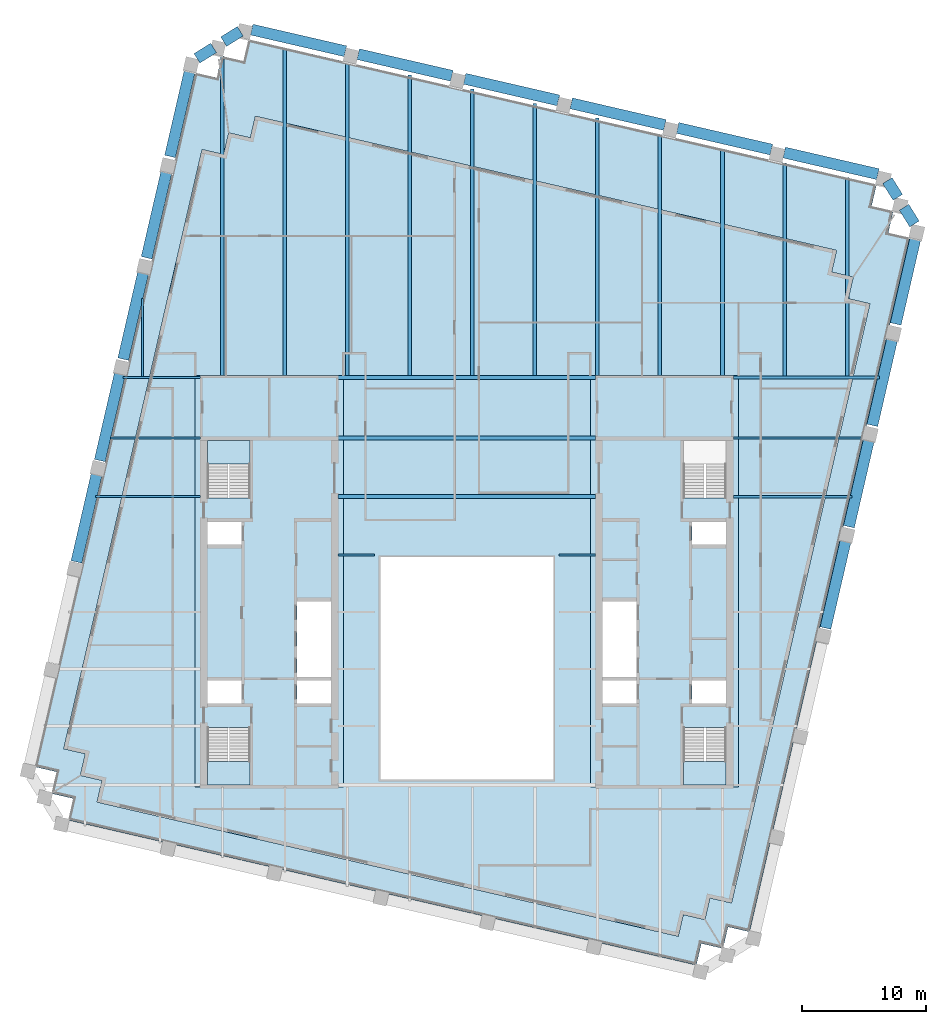
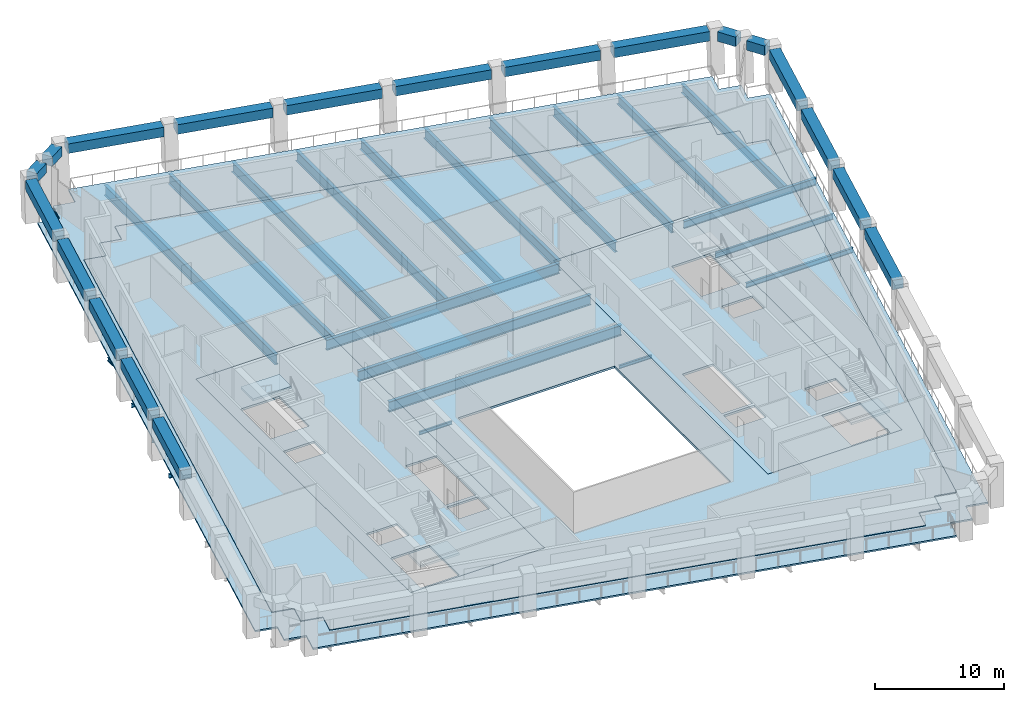
# One storey, part 2 of 10: 42 beams, 7 slabs, 3 elements without a shape of their own.
"""IFC4 building model written with IfcOpenShell, lengths in metres."""

from ifc_helpers import new_model, si_unit, direction, frame, origin, origin_2d, place, context, subcontext, project, spatial, polyline, rectangle, i_section, outline, extrude, material, layer, layer_set, material_profile, profile_set, type_object, element, aggregate, save


model = new_model("IFC4")

# Units and contexts
model_context = context("Model", 3, precision=1e-05, world=origin(), true_north=direction((0.0, 1.0)))
body_context = subcontext(model_context, "Body", "Model", "MODEL_VIEW")
ifc_project = project(units=[si_unit("LENGTHUNIT", "METRE"), si_unit("AREAUNIT", "SQUARE_METRE"), si_unit("VOLUMEUNIT", "CUBIC_METRE"), si_unit("PLANEANGLEUNIT", "RADIAN"), si_unit("MASSUNIT", "GRAM", prefix="KILO")], contexts=[model_context])

# Site, building, storey
site_placement = place(None, origin())
site = spatial("IfcSite", under=ifc_project, at=site_placement, CompositionType="ELEMENT")
building_placement = place(site_placement, origin())
building = spatial("IfcBuilding", under=site, at=building_placement, Name="Ogive Exchange Tower", CompositionType="ELEMENT")
storey_placement = place(building_placement, frame((0.0, 0.0, 280.800048828125)))
storey = spatial("IfcBuildingStorey", under=building, at=storey_placement, Name="L61", CompositionType="ELEMENT", Elevation=280.800048828125)

# Beams
ifc_material_1 = material(Name="Steel ASTM A992 Gr50", Category="steel")
ifc_material_profile_1 = material_profile(ifc_material_1, i_section(OverallWidth=0.300048828125, OverallDepth=0.969970703125, WebThickness=0.01611328125, FlangeThickness=0.02099609375, at=origin_2d()), Name="W1000x222")
ifc_profile_set_1 = profile_set([ifc_material_profile_1], Name="Steel ASTM A992 Gr50")
beam_type_1 = type_object("IfcBeamType", Name="Floor beam W1000x222", PredefinedType="JOIST", material=ifc_profile_set_1)
beam_1_placement = place(storey_placement, frame((15.630615234375, 30.699951171875, -0.68505859375), z_axis=(0.0, 1.0, 0.0), x_axis=(-1.0, 0.0, 0.0)))
element("IfcBeam", 1, at=beam_1_placement, inside=storey, type_object=beam_type_1, Name="Floor beam", PredefinedType="JOIST", context=body_context, shape_type="SweptSolid", body=[
    extrude(i_section(OverallWidth=0.300048828125, OverallDepth=0.969970703125, WebThickness=0.01611328125, FlangeThickness=0.02099609375, at=origin_2d()), origin(), (0.0, 0.0, 1.0), 19.529052734375),
])
ifc_material_profile_2 = material_profile(ifc_material_1, i_section(OverallWidth=0.300048828125, OverallDepth=0.97998046875, WebThickness=0.0166015625, FlangeThickness=0.026123046875, at=origin_2d()), Name="W1000x249")
ifc_profile_set_2 = profile_set([ifc_material_profile_2], Name="Steel ASTM A992 Gr50")
beam_type_2 = type_object("IfcBeamType", Name="Floor beam W1000x249", PredefinedType="JOIST", material=ifc_profile_set_2)
for number, where, z_axis, x_axis, name in (
    (2, (-10.419921875, 20.89990234375, -0.68994140625), (1.0, 0.0, 0.0), (0.0, 1.0, 0.0), "Floor beam"),
    (3, (-10.419921875, 25.64501953125, -0.68994140625), (1.0, 0.0, 0.0), (0.0, 1.0, 0.0), "Floor beam"),
):
    element("IfcBeam", number, at=place(storey_placement, frame(where, z_axis=z_axis, x_axis=x_axis)), inside=storey, type_object=beam_type_2, Name=name, PredefinedType="JOIST", context=body_context, shape_type="SweptSolid", body=[
        extrude(i_section(OverallWidth=0.300048828125, OverallDepth=0.97998046875, WebThickness=0.0166015625, FlangeThickness=0.026123046875, at=origin_2d()), origin(), (0.0, 0.0, 1.0), 20.83984375),
    ])
beam_2_placement = place(storey_placement, frame((-19.7958984375, 30.699951171875, -0.68994140625), z_axis=(0.0, 1.0, 0.0), x_axis=(-1.0, 0.0, 0.0)))
element("IfcBeam", 4, at=beam_2_placement, inside=storey, type_object=beam_type_2, Name="Floor beam", PredefinedType="JOIST", context=body_context, shape_type="SweptSolid", body=[
    extrude(i_section(OverallWidth=0.300048828125, OverallDepth=0.97998046875, WebThickness=0.0166015625, FlangeThickness=0.026123046875, at=origin_2d()), origin(), (0.0, 0.0, 1.0), 25.8603515625),
])
beam_3_placement = place(storey_placement, frame((-14.735107421875, 30.699951171875, -0.68994140625), z_axis=(0.0, 1.0, 0.0), x_axis=(-1.0, 0.0, 0.0)))
element("IfcBeam", 5, at=beam_3_placement, inside=storey, type_object=beam_type_2, Name="Floor beam", PredefinedType="JOIST", context=body_context, shape_type="SweptSolid", body=[
    extrude(i_section(OverallWidth=0.300048828125, OverallDepth=0.97998046875, WebThickness=0.0166015625, FlangeThickness=0.026123046875, at=origin_2d()), origin(), (0.0, 0.0, 1.0), 26.53955078125),
])
beam_4_placement = place(storey_placement, frame((-9.674072265625, 30.695068359375, -0.68994140625), z_axis=(0.0, 1.0, 0.0), x_axis=(-1.0, 0.0, 0.0)))
element("IfcBeam", 6, at=beam_4_placement, inside=storey, type_object=beam_type_2, Name="Floor beam", PredefinedType="JOIST", context=body_context, shape_type="SweptSolid", body=[
    extrude(i_section(OverallWidth=0.300048828125, OverallDepth=0.97998046875, WebThickness=0.0166015625, FlangeThickness=0.026123046875, at=origin_2d()), origin(), (0.0, 0.0, 1.0), 25.375732421875),
])
beam_5_placement = place(storey_placement, frame((-4.613037109375, 30.695068359375, -0.68994140625), z_axis=(0.0, 1.0, 0.0), x_axis=(-1.0, 0.0, 0.0)))
element("IfcBeam", 7, at=beam_5_placement, inside=storey, type_object=beam_type_2, Name="Floor beam", PredefinedType="JOIST", context=body_context, shape_type="SweptSolid", body=[
    extrude(i_section(OverallWidth=0.300048828125, OverallDepth=0.97998046875, WebThickness=0.0166015625, FlangeThickness=0.026123046875, at=origin_2d()), origin(), (0.0, 0.0, 1.0), 24.357421875),
])
beam_6_placement = place(storey_placement, frame((0.447998046875, 30.695068359375, -0.68994140625), z_axis=(0.0, 1.0, 0.0), x_axis=(-1.0, 0.0, 0.0)))
element("IfcBeam", 8, at=beam_6_placement, inside=storey, type_object=beam_type_2, Name="Floor beam", PredefinedType="JOIST", context=body_context, shape_type="SweptSolid", body=[
    extrude(i_section(OverallWidth=0.300048828125, OverallDepth=0.97998046875, WebThickness=0.0166015625, FlangeThickness=0.026123046875, at=origin_2d()), origin(), (0.0, 0.0, 1.0), 23.18896484375),
])
beam_7_placement = place(storey_placement, frame((5.5087890625, 30.695068359375, -0.68994140625), z_axis=(0.0, 1.0, 0.0), x_axis=(-1.0, 0.0, 0.0)))
element("IfcBeam", 9, at=beam_7_placement, inside=storey, type_object=beam_type_2, Name="Floor beam", PredefinedType="JOIST", context=body_context, shape_type="SweptSolid", body=[
    extrude(i_section(OverallWidth=0.300048828125, OverallDepth=0.97998046875, WebThickness=0.0166015625, FlangeThickness=0.026123046875, at=origin_2d()), origin(), (0.0, 0.0, 1.0), 22.020751953125),
])
beam_8_placement = place(storey_placement, frame((10.569580078125, 30.699951171875, -0.68994140625), z_axis=(0.0, 1.0, 0.0), x_axis=(-1.0, 0.0, 0.0)))
element("IfcBeam", 10, at=beam_8_placement, inside=storey, type_object=beam_type_2, Name="Floor beam", PredefinedType="JOIST", context=body_context, shape_type="SweptSolid", body=[
    extrude(i_section(OverallWidth=0.300048828125, OverallDepth=0.97998046875, WebThickness=0.0166015625, FlangeThickness=0.026123046875, at=origin_2d()), origin(), (0.0, 0.0, 1.0), 20.847412109375),
])
ifc_material_profile_3 = material_profile(ifc_material_1, i_section(OverallWidth=0.1650390625, OverallDepth=0.31005859375, WebThickness=0.005859375, FlangeThickness=0.009765625, at=origin_2d()), Name="W310x38.7")
ifc_profile_set_3 = profile_set([ifc_material_profile_3], Name="Steel ASTM A992 Gr50")
beam_type_3 = type_object("IfcBeamType", Name="Floor beam W310x38.7", PredefinedType="JOIST", material=ifc_profile_set_3)
beam_9_placement = place(storey_placement, frame((-26.2568359375, 30.630615234375, -0.35498046875), z_axis=(0.0, 1.0, 0.0), x_axis=(-1.0, 0.0, 0.0)))
element("IfcBeam", 11, at=beam_9_placement, inside=storey, type_object=beam_type_3, Name="Floor beam", PredefinedType="JOIST", context=body_context, shape_type="SweptSolid", body=[
    extrude(i_section(OverallWidth=0.1650390625, OverallDepth=0.31005859375, WebThickness=0.005859375, FlangeThickness=0.009765625, at=origin_2d()), origin(), (0.0, 0.0, 1.0), 6.3173828125),
])
ifc_material_profile_4 = material_profile(ifc_material_1, i_section(OverallWidth=0.1708984375, OverallDepth=0.35595703125, WebThickness=0.00732421875, FlangeThickness=0.01171875, at=origin_2d()), Name="W360x51")
ifc_profile_set_4 = profile_set([ifc_material_profile_4], Name="Steel ASTM A992 Gr50")
beam_type_4 = type_object("IfcBeamType", Name="Floor beam W360x51", PredefinedType="JOIST", material=ifc_profile_set_4)
beam_10_placement = place(storey_placement, frame((-28.831787109375, 25.64501953125, -0.3779296875), z_axis=(1.0, 0.0, 0.0), x_axis=(0.0, 1.0, 0.0)))
element("IfcBeam", 12, at=beam_10_placement, inside=storey, type_object=beam_type_4, Name="Floor beam", PredefinedType="JOIST", context=body_context, shape_type="SweptSolid", body=[
    extrude(i_section(OverallWidth=0.1708984375, OverallDepth=0.35595703125, WebThickness=0.00732421875, FlangeThickness=0.01171875, at=origin_2d()), origin(), (0.0, 0.0, 1.0), 7.251708984375),
])
ifc_material_profile_5 = material_profile(ifc_material_1, i_section(OverallWidth=0.177978515625, OverallDepth=0.406005859375, WebThickness=0.0078125, FlangeThickness=0.0126953125, at=origin_2d()), Name="W410x60")
ifc_profile_set_5 = profile_set([ifc_material_profile_5], Name="Steel ASTM A992 Gr50")
beam_type_5 = type_object("IfcBeamType", Name="Floor beam W410x60", PredefinedType="JOIST", material=ifc_profile_set_5)
beam_11_placement = place(storey_placement, frame((-30.0771484375, 20.89990234375, -0.403076171875), z_axis=(1.0, 0.0, 0.0), x_axis=(0.0, 1.0, 0.0)))
element("IfcBeam", 13, at=beam_11_placement, inside=storey, type_object=beam_type_5, Name="Floor beam", PredefinedType="JOIST", context=body_context, shape_type="SweptSolid", body=[
    extrude(i_section(OverallWidth=0.177978515625, OverallDepth=0.406005859375, WebThickness=0.0078125, FlangeThickness=0.0126953125, at=origin_2d()), origin(), (0.0, 0.0, 1.0), 8.4970703125),
])
ifc_material_profile_6 = material_profile(ifc_material_1, i_section(OverallWidth=0.19189453125, OverallDepth=0.4619140625, WebThickness=0.010498046875, FlangeThickness=0.017578125, at=origin_2d()), Name="W460x89")
ifc_profile_set_6 = profile_set([ifc_material_profile_6], Name="Steel ASTM A992 Gr50")
beam_type_6 = type_object("IfcBeamType", Name="Floor beam W460x89", PredefinedType="JOIST", material=ifc_profile_set_6)
beam_12_placement = place(storey_placement, frame((21.580078125, 20.89990234375, -0.43115234375), z_axis=(1.0, 0.0, 0.0), x_axis=(0.0, 1.0, 0.0)))
element("IfcBeam", 14, at=beam_12_placement, inside=storey, type_object=beam_type_6, Name="Floor beam", PredefinedType="JOIST", context=body_context, shape_type="SweptSolid", body=[
    extrude(i_section(OverallWidth=0.19189453125, OverallDepth=0.4619140625, WebThickness=0.010498046875, FlangeThickness=0.017578125, at=origin_2d()), origin(), (0.0, 0.0, 1.0), 9.605224609375),
])
ifc_material_profile_7 = material_profile(ifc_material_1, i_section(OverallWidth=0.1669921875, OverallDepth=0.535888671875, WebThickness=0.01025390625, FlangeThickness=0.0166015625, at=origin_2d()), Name="W530x85")
ifc_profile_set_7 = profile_set([ifc_material_profile_7], Name="Steel ASTM A992 Gr50")
beam_type_7 = type_object("IfcBeamType", Name="Floor beam W530x85", PredefinedType="JOIST", material=ifc_profile_set_7)
beam_13_placement = place(storey_placement, frame((21.580078125, 25.64501953125, -0.468017578125), z_axis=(1.0, 0.0, 0.0), x_axis=(0.0, 1.0, 0.0)))
element("IfcBeam", 15, at=beam_13_placement, inside=storey, type_object=beam_type_7, Name="Floor beam", PredefinedType="JOIST", context=body_context, shape_type="SweptSolid", body=[
    extrude(i_section(OverallWidth=0.1669921875, OverallDepth=0.535888671875, WebThickness=0.01025390625, FlangeThickness=0.0166015625, at=origin_2d()), origin(), (0.0, 0.0, 1.0), 10.55078125),
])
ifc_material_profile_8 = material_profile(ifc_material_1, i_section(OverallWidth=0.2919921875, OverallDepth=0.8359375, WebThickness=0.013916015625, FlangeThickness=0.018798828125, at=origin_2d()), Name="W840x176")
ifc_profile_set_8 = profile_set([ifc_material_profile_8], Name="Steel ASTM A992 Gr50")
beam_type_8 = type_object("IfcBeamType", Name="Floor beam W840x176", PredefinedType="JOIST", material=ifc_profile_set_8)
beam_14_placement = place(storey_placement, frame((25.752685546875, 30.672119140625, -0.6181640625), z_axis=(0.0, 1.0, 0.0), x_axis=(-1.0, 0.0, 0.0)))
element("IfcBeam", 16, at=beam_14_placement, inside=storey, type_object=beam_type_8, Name="Floor beam", PredefinedType="JOIST", context=body_context, shape_type="SweptSolid", body=[
    extrude(i_section(OverallWidth=0.2919921875, OverallDepth=0.8359375, WebThickness=0.013916015625, FlangeThickness=0.018798828125, at=origin_2d()), origin(), (0.0, 0.0, 1.0), 17.219970703125),
])
beam_15_placement = place(storey_placement, frame((30.8134765625, 30.672119140625, -0.6181640625), z_axis=(0.0, 1.0, 0.0), x_axis=(-1.0, 0.0, 0.0)))
element("IfcBeam", 17, at=beam_15_placement, inside=storey, type_object=beam_type_8, Name="Floor beam", PredefinedType="JOIST", context=body_context, shape_type="SweptSolid", body=[
    extrude(i_section(OverallWidth=0.2919921875, OverallDepth=0.8359375, WebThickness=0.013916015625, FlangeThickness=0.018798828125, at=origin_2d()), origin(), (0.0, 0.0, 1.0), 16.051513671875),
])
ifc_material_profile_9 = material_profile(ifc_material_1, i_section(OverallWidth=0.304931640625, OverallDepth=0.904052734375, WebThickness=0.01513671875, FlangeThickness=0.02001953125, at=origin_2d()), Name="W920x201")
ifc_profile_set_9 = profile_set([ifc_material_profile_9], Name="Steel ASTM A992 Gr50")
beam_type_9 = type_object("IfcBeamType", Name="Floor beam W920x201", PredefinedType="JOIST", material=ifc_profile_set_9)
beam_16_placement = place(storey_placement, frame((20.691650390625, 30.699951171875, -0.652099609375), z_axis=(0.0, 1.0, 0.0), x_axis=(-1.0, 0.0, 0.0)))
element("IfcBeam", 18, at=beam_16_placement, inside=storey, type_object=beam_type_9, Name="Floor beam", PredefinedType="JOIST", context=body_context, shape_type="SweptSolid", body=[
    extrude(i_section(OverallWidth=0.304931640625, OverallDepth=0.904052734375, WebThickness=0.01513671875, FlangeThickness=0.02001953125, at=origin_2d()), origin(), (0.0, 0.0, 1.0), 18.360595703125),
])
ifc_material_profile_10 = material_profile(ifc_material_1, i_section(OverallWidth=0.300048828125, OverallDepth=0.97998046875, WebThickness=0.0166015625, FlangeThickness=0.026123046875, at=origin_2d()), Name="W1000x249")
ifc_profile_set_10 = profile_set([ifc_material_profile_10], Name="Steel ASTM A992 Gr50")
beam_type_10 = type_object("IfcBeamType", Name="Girder W1000x249", PredefinedType="BEAM", material=ifc_profile_set_10)
beam_17_placement = place(storey_placement, frame((-10.419921875, 30.544921875, -0.68994140625), z_axis=(1.0, 0.0, 0.0), x_axis=(0.0, 1.0, 0.0)))
element("IfcBeam", 19, at=beam_17_placement, inside=storey, type_object=beam_type_10, Name="Header girder", PredefinedType="BEAM", context=body_context, shape_type="SweptSolid", body=[
    extrude(i_section(OverallWidth=0.300048828125, OverallDepth=0.97998046875, WebThickness=0.0166015625, FlangeThickness=0.026123046875, at=origin_2d()), origin(), (0.0, 0.0, 1.0), 20.83984375),
])
ifc_material_profile_11 = material_profile(ifc_material_1, i_section(OverallWidth=0.1650390625, OverallDepth=0.31005859375, WebThickness=0.005859375, FlangeThickness=0.009765625, at=origin_2d()), Name="W310x38.7")
ifc_profile_set_11 = profile_set([ifc_material_profile_11], Name="Steel ASTM A992 Gr50")
beam_type_11 = type_object("IfcBeamType", Name="Girder W310x38.7", PredefinedType="BEAM", material=ifc_profile_set_11)
for number, where, z_axis, x_axis, name in (
    (20, (-10.419921875, 16.155029296875, -0.35498046875), (1.0, 0.0, 0.0), (0.0, 1.0, 0.0), "Trimmer girder"),
    (21, (7.469970703125, 16.155029296875, -0.35498046875), (1.0, 0.0, 0.0), (0.0, 1.0, 0.0), "Trimmer girder"),
):
    element("IfcBeam", number, at=place(storey_placement, frame(where, z_axis=z_axis, x_axis=x_axis)), inside=storey, type_object=beam_type_11, Name=name, PredefinedType="BEAM", context=body_context, shape_type="SweptSolid", body=[
        extrude(i_section(OverallWidth=0.1650390625, OverallDepth=0.31005859375, WebThickness=0.005859375, FlangeThickness=0.009765625, at=origin_2d()), origin(), (0.0, 0.0, 1.0), 2.949951171875),
    ])
ifc_material_profile_12 = material_profile(ifc_material_1, i_section(OverallWidth=0.1708984375, OverallDepth=0.35595703125, WebThickness=0.00732421875, FlangeThickness=0.01171875, at=origin_2d()), Name="W360x51")
ifc_profile_set_12 = profile_set([ifc_material_profile_12], Name="Steel ASTM A992 Gr50")
beam_type_12 = type_object("IfcBeamType", Name="Girder W360x51", PredefinedType="BEAM", material=ifc_profile_set_12)
beam_18_placement = place(storey_placement, frame((-27.850341796875, 30.544921875, -0.3779296875), z_axis=(1.0, 0.0, 0.0), x_axis=(0.0, 1.0, 0.0)))
element("IfcBeam", 22, at=beam_18_placement, inside=storey, type_object=beam_type_12, Name="Header girder", PredefinedType="BEAM", context=body_context, shape_type="SweptSolid", body=[
    extrude(i_section(OverallWidth=0.1708984375, OverallDepth=0.35595703125, WebThickness=0.00732421875, FlangeThickness=0.01171875, at=origin_2d()), origin(), (0.0, 0.0, 1.0), 6.270263671875),
])
ifc_material_profile_13 = material_profile(ifc_material_1, i_section(OverallWidth=0.25390625, OverallDepth=0.677978515625, WebThickness=0.01171875, FlangeThickness=0.016357421875, at=origin_2d()), Name="W690x125")
ifc_profile_set_13 = profile_set([ifc_material_profile_13], Name="Steel ASTM A992 Gr50")
beam_type_13 = type_object("IfcBeamType", Name="Girder W690x125", PredefinedType="BEAM", material=ifc_profile_set_13)
beam_19_placement = place(storey_placement, frame((21.580078125, 30.544921875, -0.5390625), z_axis=(1.0, 0.0, 0.0), x_axis=(0.0, 1.0, 0.0)))
element("IfcBeam", 23, at=beam_19_placement, inside=storey, type_object=beam_type_13, Name="Header girder", PredefinedType="BEAM", context=body_context, shape_type="SweptSolid", body=[
    extrude(i_section(OverallWidth=0.25390625, OverallDepth=0.677978515625, WebThickness=0.01171875, FlangeThickness=0.016357421875, at=origin_2d()), origin(), (0.0, 0.0, 1.0), 11.83203125),
])
ifc_material_2 = material(Name="Precast concrete C70/85 (limestone faced)", Category="masonry")
ifc_material_profile_14 = material_profile(ifc_material_2, rectangle(XDim=0.89990234375, YDim=0.89990234375, at=origin_2d()), Name="900 x 900")
ifc_profile_set_14 = profile_set([ifc_material_profile_14], Name="Precast concrete C70/85 (limestone faced)")
beam_type_14 = type_object("IfcBeamType", Name="Precast spandrel 900 x 900 C70/85", PredefinedType="SPANDREL", material=ifc_profile_set_14)
for number, where, z_axis, x_axis, name in (
    (24, (29.039794921875, 10.25634765625, 3.5), (0.22496605283, 0.97436660199, 0.0), (-0.97436660199, 0.22496605283, 0.0), "Spandrel 12"),
    (25, (30.934814453125, 18.4638671875, 3.5), (0.224934574131, 0.974373869395, 0.0), (-0.974373869395, 0.224934574131, 0.0), "Spandrel 13"),
    (26, (32.82958984375, 26.67138671875, 3.5), (0.22496605283, 0.97436660199, 0.0), (-0.97436660199, 0.22496605283, 0.0), "Spandrel 14"),
    (27, (34.724365234375, 34.87890625, 3.5), (0.22496605283, 0.97436660199, 0.0), (-0.97436660199, 0.22496605283, 0.0), "Spandrel 15"),
):
    element("IfcBeam", number, at=place(storey_placement, frame(where, z_axis=z_axis, x_axis=x_axis)), inside=storey, type_object=beam_type_14, Name=name, PredefinedType="SPANDREL", context=body_context, shape_type="SweptSolid", body=[
        extrude(rectangle(XDim=0.89990234375, YDim=0.89990234375, at=origin_2d()), origin(), (0.0, 0.0, 1.0), 7.36328125),
    ])
for number, where, z_axis, x_axis, name in (
    (28, (36.246826171875, 42.97509765625, 3.5), (-0.529902320601, 0.848058683477, 0.0), (-0.848058683477, -0.529902320601, 0.0), "Spandrel 16"),
    (29, (34.89794921875, 45.1337890625, 3.5), (-0.529902320601, 0.848058683477, 0.0), (-0.848058683477, -0.529902320601, 0.0), "Spandrel 17"),
):
    element("IfcBeam", number, at=place(storey_placement, frame(where, z_axis=z_axis, x_axis=x_axis)), inside=storey, type_object=beam_type_14, Name=name, PredefinedType="SPANDREL", context=body_context, shape_type="SweptSolid", body=[
        extrude(rectangle(XDim=0.89990234375, YDim=0.89990234375, at=origin_2d()), origin(), (0.0, 0.0, 1.0), 1.590087890625),
    ])
for number, where, z_axis, x_axis, name in (
    (30, (33.28564453125, 47.006591796875, 3.5), (-0.974367949416, 0.224960216819, 0.0), (-0.224960216819, -0.974367949416, 0.0), "Spandrel 18"),
    (31, (24.66259765625, 48.997314453125, 3.5), (-0.974367949416, 0.224960216819, 0.0), (-0.224960216819, -0.974367949416, 0.0), "Spandrel 19"),
    (32, (16.039306640625, 50.98828125, 3.5), (-0.974374818602, 0.224930462307, 0.0), (-0.224930462307, -0.974374818602, 0.0), "Spandrel 20"),
):
    element("IfcBeam", number, at=place(storey_placement, frame(where, z_axis=z_axis, x_axis=x_axis)), inside=storey, type_object=beam_type_14, Name=name, PredefinedType="SPANDREL", context=body_context, shape_type="SweptSolid", body=[
        extrude(rectangle(XDim=0.89990234375, YDim=0.89990234375, at=origin_2d()), origin(), (0.0, 0.0, 1.0), 7.7900390625),
    ])
beam_20_placement = place(storey_placement, frame((7.416259765625, 52.97900390625, 3.5), z_axis=(-0.974369535382, 0.224953347431, 0.0), x_axis=(-0.224953347431, -0.974369535382, 0.0)))
element("IfcBeam", 33, at=beam_20_placement, inside=storey, type_object=beam_type_14, Name="Spandrel 21", PredefinedType="SPANDREL", context=body_context, shape_type="SweptSolid", body=[
    extrude(rectangle(XDim=0.89990234375, YDim=0.89990234375, at=origin_2d()), origin(), (0.0, 0.0, 1.0), 7.790283203125),
])
for number, where, z_axis, x_axis, name in (
    (34, (-1.20703125, 54.969970703125, 3.5), (-0.974374818602, 0.224930462307, 0.0), (-0.224930462307, -0.974374818602, 0.0), "Spandrel 22"),
    (35, (-9.830078125, 56.960693359375, 3.5), (-0.974367949416, 0.224960216819, 0.0), (-0.224960216819, -0.974367949416, 0.0), "Spandrel 23"),
):
    element("IfcBeam", number, at=place(storey_placement, frame(where, z_axis=z_axis, x_axis=x_axis)), inside=storey, type_object=beam_type_14, Name=name, PredefinedType="SPANDREL", context=body_context, shape_type="SweptSolid", body=[
        extrude(rectangle(XDim=0.89990234375, YDim=0.89990234375, at=origin_2d()), origin(), (0.0, 0.0, 1.0), 7.7900390625),
    ])
beam_21_placement = place(storey_placement, frame((-18.342041015625, 58.5791015625, 3.5), z_axis=(-0.848058683477, -0.529902320601, 0.0), x_axis=(0.529902320601, -0.848058683477, 0.0)))
element("IfcBeam", 36, at=beam_21_placement, inside=storey, type_object=beam_type_14, Name="Spandrel 24", PredefinedType="SPANDREL", context=body_context, shape_type="SweptSolid", body=[
    extrude(rectangle(XDim=0.89990234375, YDim=0.89990234375, at=origin_2d()), origin(), (0.0, 0.0, 1.0), 1.590087890625),
])
beam_22_placement = place(storey_placement, frame((-20.5009765625, 57.22998046875, 3.5), z_axis=(-0.848127685634, -0.529791873155, 0.0), x_axis=(0.529791873155, -0.848127685634, 0.0)))
element("IfcBeam", 37, at=beam_22_placement, inside=storey, type_object=beam_type_14, Name="Spandrel 25", PredefinedType="SPANDREL", context=body_context, shape_type="SweptSolid", body=[
    extrude(rectangle(XDim=0.89990234375, YDim=0.89990234375, at=origin_2d()), origin(), (0.0, 0.0, 1.0), 1.58984375),
])
for number, where, z_axis, x_axis, name in (
    (38, (-22.373779296875, 55.617919921875, 3.5), (-0.224934574131, -0.974373869395, 0.0), (0.974373869395, -0.224934574131, 0.0), "Spandrel 26"),
    (39, (-24.2685546875, 47.410400390625, 3.5), (-0.22496605283, -0.97436660199, 0.0), (0.97436660199, -0.22496605283, 0.0), "Spandrel 27"),
    (40, (-26.163330078125, 39.202880859375, 3.5), (-0.22496605283, -0.97436660199, 0.0), (0.97436660199, -0.22496605283, 0.0), "Spandrel 28"),
):
    element("IfcBeam", number, at=place(storey_placement, frame(where, z_axis=z_axis, x_axis=x_axis)), inside=storey, type_object=beam_type_14, Name=name, PredefinedType="SPANDREL", context=body_context, shape_type="SweptSolid", body=[
        extrude(rectangle(XDim=0.89990234375, YDim=0.89990234375, at=origin_2d()), origin(), (0.0, 0.0, 1.0), 7.36328125),
    ])
for number, where, z_axis, x_axis, name in (
    (41, (-28.058349609375, 30.99560546875, 3.5), (-0.224927307408, -0.974375546892, 0.0), (0.974375546892, -0.224927307408, 0.0), "Spandrel 29"),
    (42, (-29.953125, 22.7880859375, 3.5), (-0.224958785199, -0.974368279944, 0.0), (0.974368279944, -0.224958785199, 0.0), "Spandrel 30"),
):
    element("IfcBeam", number, at=place(storey_placement, frame(where, z_axis=z_axis, x_axis=x_axis)), inside=storey, type_object=beam_type_14, Name=name, PredefinedType="SPANDREL", context=body_context, shape_type="SweptSolid", body=[
        extrude(rectangle(XDim=0.89990234375, YDim=0.89990234375, at=origin_2d()), origin(), (0.0, 0.0, 1.0), 7.363525390625),
    ])

# Slabs
ifc_material_3 = material(Name="Concrete C50/60", Category="concrete")
ifc_layer_1 = layer(ifc_material_3, 0.199951171875)
ifc_layer_set_1 = layer_set([ifc_layer_1], Name="Composite floor slab 200")
slab_type_1 = type_object("IfcSlabType", Name="Composite floor slab 200", PredefinedType="FLOOR", material=ifc_layer_set_1)
slab_1_placement = place(storey_placement, frame((0.0, 0.0, -0.199951171875)))
element("IfcSlab", 43, at=slab_1_placement, inside=storey, type_object=slab_type_1, Name="Composite floor slab", PredefinedType="FLOOR", context=body_context, shape_type="SweptSolid", body=[
    extrude(outline(polyline([(-29.537109375, -2.0830078125), (-31.291015625, -1.67822265625), (-30.88623046875, 0.07568359375), (-32.64013671875, 0.480712890625), (-21.4375, 49.004150390625), (-19.68359375, 48.599365234375), (-19.27880859375, 50.353271484375), (-17.52490234375, 49.9482421875), (-17.119873046875, 51.7021484375), (29.942138671875, 40.8369140625), (29.537109375, 39.0830078125), (31.291015625, 38.67822265625), (30.88623046875, 36.92431640625), (32.64013671875, 36.519287109375), (21.4375, -12.004150390625), (19.68359375, -11.599365234375), (19.27880859375, -13.353271484375), (17.52490234375, -12.9482421875), (17.119873046875, -14.7021484375), (-29.942138671875, -3.8369140625), (-29.537109375, -2.0830078125)]), holes=[polyline([(7.0, -2.0), (7.0, 16.0), (-7.0, 16.0), (-7.0, -2.0), (7.0, -2.0)]), polyline([(-22.0, -2.60009765625), (-10.0, -2.60009765625), (-10.0, 30.699951171875), (-22.0, 30.699951171875), (-22.0, -2.60009765625)]), polyline([(10.0, -2.60009765625), (22.0, -2.60009765625), (22.0, 30.699951171875), (10.0, 30.699951171875), (10.0, -2.60009765625)])]), origin(), (0.0, 0.0, 1.0), 0.199951171875),
])
ifc_material_4 = material(Name="Concrete C70/85", Category="concrete")
ifc_layer_2 = layer(ifc_material_4, 0.199951171875)
ifc_layer_set_2 = layer_set([ifc_layer_2], Name="Core floor slab 200")
slab_type_2 = type_object("IfcSlabType", Name="Core floor slab 200", PredefinedType="FLOOR", material=ifc_layer_set_2)
slab_2_placement = place(storey_placement, frame((0.0, 0.0, -0.199951171875)))
element("IfcSlab", 44, at=slab_2_placement, inside=storey, type_object=slab_type_2, Name="Core floor slab", PredefinedType="FLOOR", context=body_context, shape_type="SweptSolid", body=[
    extrude(outline(polyline([(-22.0, -2.60009765625), (-22.0, 30.699951171875), (-10.0, 30.699951171875), (-10.0, -2.60009765625), (-22.0, -2.60009765625)]), holes=[polyline([(-17.550048828125, 2.196044921875), (-21.0, 2.196044921875), (-21.0, -2.449951171875), (-17.550048828125, -2.449951171875), (-17.550048828125, 2.196044921875)]), polyline([(-18.25, 5.992919921875), (-21.0, 5.992919921875), (-21.0, 4.14990234375), (-18.25, 4.14990234375), (-18.25, 5.992919921875)]), polyline([(-11.0, 5.992919921875), (-13.75, 5.992919921875), (-13.75, 4.14990234375), (-11.0, 4.14990234375), (-11.0, 5.992919921875)]), polyline([(-13.75, 12.42138671875), (-13.75, 6.29296875), (-11.0, 6.29296875), (-11.0, 12.42138671875), (-13.75, 12.42138671875)]), polyline([(-18.25, 18.85009765625), (-21.0, 18.85009765625), (-21.0, 17.007080078125), (-18.25, 17.007080078125), (-18.25, 18.85009765625)]), polyline([(-21.0, 25.449951171875), (-21.0, 20.803955078125), (-17.550048828125, 20.803955078125), (-17.550048828125, 25.449951171875), (-21.0, 25.449951171875)])]), origin(), (0.0, 0.0, 1.0), 0.199951171875),
])
slab_3_placement = place(storey_placement, frame((0.0, 0.0, -0.199951171875)))
element("IfcSlab", 45, at=slab_3_placement, inside=storey, type_object=slab_type_2, Name="Core floor slab", PredefinedType="FLOOR", context=body_context, shape_type="SweptSolid", body=[
    extrude(outline(polyline([(10.0, -2.60009765625), (10.0, 30.699951171875), (22.0, 30.699951171875), (22.0, -2.60009765625), (10.0, -2.60009765625)]), holes=[polyline([(21.0, 2.196044921875), (17.550048828125, 2.196044921875), (17.550048828125, -2.449951171875), (21.0, -2.449951171875), (21.0, 2.196044921875)]), polyline([(13.75, 5.992919921875), (11.0, 5.992919921875), (11.0, 4.14990234375), (13.75, 4.14990234375), (13.75, 5.992919921875)]), polyline([(21.0, 5.992919921875), (18.25, 5.992919921875), (18.25, 4.14990234375), (21.0, 4.14990234375), (21.0, 5.992919921875)]), polyline([(11.0, 12.42138671875), (11.0, 6.29296875), (13.75, 6.29296875), (13.75, 12.42138671875), (11.0, 12.42138671875)]), polyline([(21.0, 18.85009765625), (18.25, 18.85009765625), (18.25, 17.007080078125), (21.0, 17.007080078125), (21.0, 18.85009765625)]), polyline([(17.550048828125, 25.449951171875), (17.550048828125, 20.803955078125), (21.0, 20.803955078125), (21.0, 25.449951171875), (17.550048828125, 25.449951171875)])]), origin(), (0.0, 0.0, 1.0), 0.199951171875),
])
ifc_layer_3 = layer(ifc_material_3, 0.14990234375)
ifc_layer_set_3 = layer_set([ifc_layer_3], Name="Loggia deck 150")
slab_type_3 = type_object("IfcSlabType", Name="Loggia deck 150", PredefinedType="FLOOR", material=ifc_layer_set_3)
slab_4_placement = place(storey_placement, frame((0.0, 0.0, -0.199951171875)))
element("IfcSlab", 46, at=slab_4_placement, inside=storey, type_object=slab_type_3, Name="Loggia deck", PredefinedType="FLOOR", context=body_context, shape_type="SweptSolid", body=[
    extrude(outline(polyline([(-31.8759765625, -3.54443359375), (-33.6298828125, -3.1396484375), (-33.224853515625, -1.3857421875), (-34.978759765625, -0.980712890625), (-22.003173828125, 55.22265625), (-20.249267578125, 54.817626953125), (-19.844482421875, 56.571533203125), (-18.090576171875, 56.166748046875), (-17.685546875, 57.920654296875), (33.176513671875, 46.177978515625), (32.771484375, 44.42431640625), (34.525390625, 44.019287109375), (34.12060546875, 42.265380859375), (35.87451171875, 41.860595703125), (22.89892578125, -14.343017578125), (21.14501953125, -13.93798828125), (20.739990234375, -15.69189453125), (18.986083984375, -15.286865234375), (18.581298828125, -17.040771484375), (-32.28076171875, -5.29833984375), (-31.8759765625, -3.54443359375)]), holes=[polyline([(17.52490234375, -12.9482421875), (19.27880859375, -13.353271484375), (19.68359375, -11.599365234375), (21.4375, -12.004150390625), (32.64013671875, 36.519287109375), (30.88623046875, 36.92431640625), (31.291015625, 38.67822265625), (29.537109375, 39.0830078125), (29.942138671875, 40.8369140625), (-17.119873046875, 51.7021484375), (-17.52490234375, 49.9482421875), (-19.27880859375, 50.353271484375), (-19.68359375, 48.599365234375), (-21.4375, 49.004150390625), (-32.64013671875, 0.480712890625), (-30.88623046875, 0.07568359375), (-31.291015625, -1.67822265625), (-29.537109375, -2.0830078125), (-29.942138671875, -3.8369140625), (17.119873046875, -14.7021484375), (17.52490234375, -12.9482421875)])]), origin(), (0.0, 0.0, 1.0), 0.14990234375),
])

# Stair, slab
ifc_material_5 = material(Name="Concrete C40/50", Category="concrete")
stair_type = type_object("IfcStairType", Name="Exit stair 1650 wide", PredefinedType="HALF_TURN_STAIR", material=ifc_material_5)
stair_1_placement = place(storey_placement, origin())
stair_1 = element("IfcStair", 47, at=stair_1_placement, inside=storey, type_object=stair_type, Name="L61 exit stair ST1", PredefinedType="HALF_TURN_STAIR")
ifc_layer_4 = layer(ifc_material_5, 0.199951171875)
ifc_layer_set_4 = layer_set([ifc_layer_4], Name="Stair landing 200 slab")
slab_type_4 = type_object("IfcSlabType", Name="Stair landing 200 slab", PredefinedType="LANDING", material=ifc_layer_set_4)
slab_5_placement = place(storey_placement, frame((0.0, 0.0, 1.89990234375)))
slab_5 = element("IfcSlab", 48, at=slab_5_placement, type_object=slab_type_4, Name="ST1 landing 1", PredefinedType="LANDING", context=body_context, shape_type="SweptSolid", body=[
    extrude(outline(polyline([(-21.0, -0.550048828125), (-21.0, -2.449951171875), (-17.550048828125, -2.449951171875), (-17.550048828125, -0.550048828125), (-21.0, -0.550048828125)])), origin(), (0.0, 0.0, 1.0), 0.199951171875),
])
aggregate(stair_1, [slab_5])

stair_2_placement = place(storey_placement, origin())
stair_2 = element("IfcStair", 49, at=stair_2_placement, inside=storey, type_object=stair_type, Name="L61 exit stair ST2", PredefinedType="HALF_TURN_STAIR")
slab_6_placement = place(storey_placement, frame((0.0, 0.0, 1.89990234375)))
slab_6 = element("IfcSlab", 50, at=slab_6_placement, type_object=slab_type_4, Name="ST2 landing 1", PredefinedType="LANDING", context=body_context, shape_type="SweptSolid", body=[
    extrude(outline(polyline([(-17.550048828125, 23.550048828125), (-17.550048828125, 25.449951171875), (-21.0, 25.449951171875), (-21.0, 23.550048828125), (-17.550048828125, 23.550048828125)])), origin(), (0.0, 0.0, 1.0), 0.199951171875),
])
aggregate(stair_2, [slab_6])

stair_3_placement = place(storey_placement, origin())
stair_3 = element("IfcStair", 51, at=stair_3_placement, inside=storey, type_object=stair_type, Name="L61 exit stair ST3", PredefinedType="HALF_TURN_STAIR")
slab_7_placement = place(storey_placement, frame((0.0, 0.0, 1.89990234375)))
slab_7 = element("IfcSlab", 52, at=slab_7_placement, type_object=slab_type_4, Name="ST3 landing 1", PredefinedType="LANDING", context=body_context, shape_type="SweptSolid", body=[
    extrude(outline(polyline([(17.550048828125, -0.550048828125), (17.550048828125, -2.449951171875), (21.0, -2.449951171875), (21.0, -0.550048828125), (17.550048828125, -0.550048828125)])), origin(), (0.0, 0.0, 1.0), 0.199951171875),
])
aggregate(stair_3, [slab_7])

save(model, "model.ifc")
